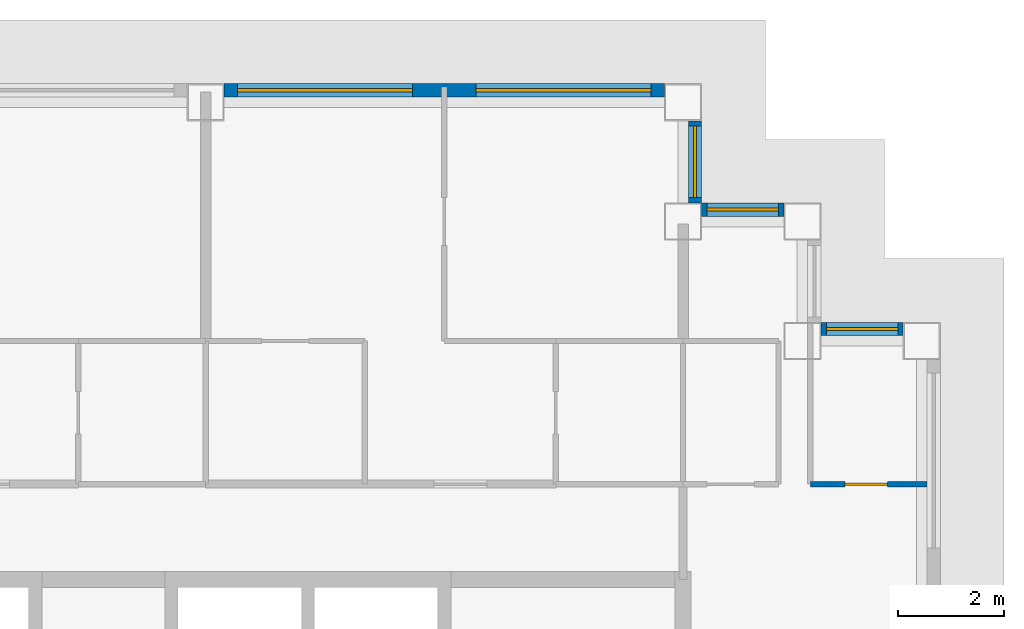
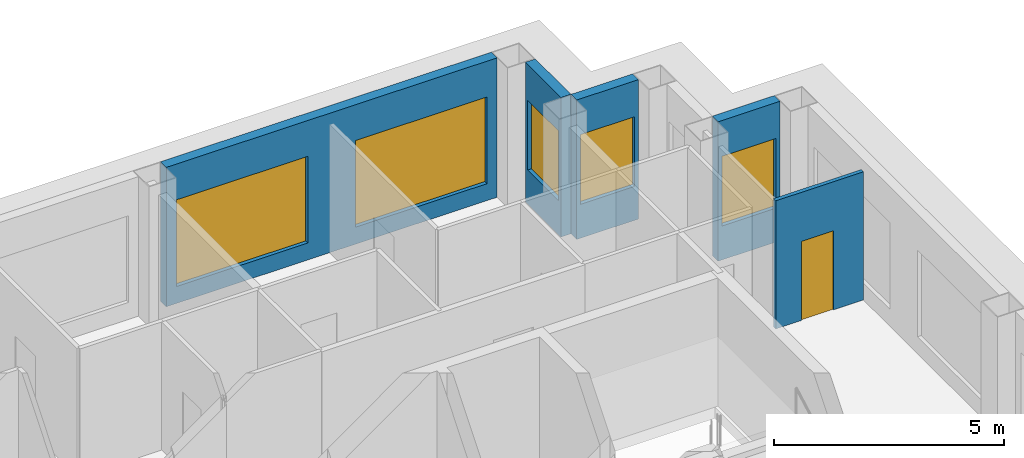
# One storey, part 8 of 12: 5 walls, 5 windows, 1 door, 6 openings.
"""IFC4 building model written with IfcOpenShell, lengths in metres."""

from ifc_helpers import new_model, si_unit, direction, frame, frame_2d, origin, place, context, subcontext, project, spatial, rectangle, extrude, material, layer, layer_set, type_object, element, fill, save


model = new_model("IFC4")

# Units and contexts
model_context = context("Model", 3, precision=1e-05, world=origin(), true_north=direction((0.0, 1.0)))
body_context = subcontext(model_context, "Body", "Model", "MODEL_VIEW")
ifc_project = project(units=[si_unit("LENGTHUNIT", "METRE"), si_unit("AREAUNIT", "SQUARE_METRE"), si_unit("VOLUMEUNIT", "CUBIC_METRE"), si_unit("PLANEANGLEUNIT", "RADIAN"), si_unit("MASSUNIT", "GRAM", prefix="KILO")], contexts=[model_context])

# Site, building, storey
site_placement = place(None, origin())
site = spatial("IfcSite", under=ifc_project, at=site_placement, CompositionType="ELEMENT")
building_placement = place(site_placement, origin())
building = spatial("IfcBuilding", under=site, at=building_placement, Name="Caravel Reach Hotel and Residences", CompositionType="ELEMENT")
storey_placement = place(building_placement, frame((0.0, 0.0, 196.10009765625)))
storey = spatial("IfcBuildingStorey", under=building, at=storey_placement, Name="L49", CompositionType="ELEMENT", Elevation=196.10009765625)

# Wall, opening, door
ifc_material_1 = material(Name="Gypsum board on steel stud", Category="steel")
ifc_layer_1 = layer(ifc_material_1, 0.10009765625)
ifc_layer_set_1 = layer_set([ifc_layer_1], Name="Bathroom pod wall 100 mm")
wall_type_1 = type_object("IfcWallType", Name="Bathroom pod wall 100 mm", PredefinedType="PARTITIONING", material=ifc_layer_set_1)
wall_1_placement = place(storey_placement, frame((47.39990234375, 33.300048828125, 0.0), z_axis=(0.0, 0.0, 1.0), x_axis=(1.0, 0.0, 0.0)))
wall_1 = element("IfcWall", 1, at=wall_1_placement, inside=storey, type_object=wall_type_1, Name="L49 wall w085", PredefinedType="PARTITIONING", context=body_context, shape_type="SweptSolid", body=[
    extrude(rectangle(XDim=2.2001953125, YDim=0.10009765625, at=frame_2d((1.10009765625, 0.0))), origin(), (0.0, 0.0, 1.0), 3.39990234375),
])
opening_1_placement = place(wall_1_placement, frame((0.64990234375, 0.0, 0.0)))
opening_1 = element("IfcOpeningElement", 2, at=opening_1_placement, cuts=wall_1, Name="Opening D49-047", PredefinedType="OPENING", context=body_context, shape_type="SweptSolid", body=[
    extrude(rectangle(XDim=0.800048828125, YDim=2.10009765625, at=frame_2d((0.39990234375, 1.050048828125))), frame((0.0, 0.06005859375, 0.0), z_axis=(0.0, -1.0, 0.0), x_axis=(1.0, 0.0, 0.0)), (0.0, 0.0, 1.0), 0.1201171875),
])
ifc_material_2 = material(Name="Timber and steel door leaf", Category="steel")
door_type = type_object("IfcDoorType", Name="Bathroom door 800 x 2100", OperationType="SINGLE_SWING_LEFT", PredefinedType="DOOR", material=ifc_material_2)
door_placement = place(opening_1_placement, origin())
door = element("IfcDoor", 3, at=door_placement, inside=storey, type_object=door_type, Name="door D49-047", OperationType="SINGLE_SWING_LEFT", OverallHeight=2.10009765625, OverallWidth=0.800048828125, PredefinedType="DOOR", context=body_context, shape_type="SweptSolid", body=[
    extrude(rectangle(XDim=0.800048828125, YDim=2.10009765625, at=frame_2d((0.39990234375, 1.050048828125))), frame((0.0, 0.02490234375, 0.0), z_axis=(0.0, -1.0, 0.0), x_axis=(1.0, 0.0, 0.0)), (0.0, 0.0, 1.0), 0.050048828125),
])
fill(opening_1, door)

# Wall, opening, window
ifc_material_3 = material(Name="Insulated rainscreen wall, aluminium cladding", Category="aluminium")
ifc_layer_2 = layer(ifc_material_3, 0.25)
ifc_layer_set_2 = layer_set([ifc_layer_2], Name="EW1 Tower rainscreen wall")
wall_type_2 = type_object("IfcWallType", Name="EW1 Tower rainscreen wall", PredefinedType="SOLIDWALL", material=ifc_layer_set_2)
wall_2_placement = place(storey_placement, frame((49.14990234375, 36.22509765625, 0.0), z_axis=(0.0, 0.0, 1.0), x_axis=(-1.0, 0.0, 0.0)))
wall_2 = element("IfcWall", 4, at=wall_2_placement, inside=storey, type_object=wall_type_2, Name="External wall L49 N7.1", PredefinedType="SOLIDWALL", context=body_context, shape_type="SweptSolid", body=[
    extrude(rectangle(XDim=1.5498046875, YDim=0.25, at=frame_2d((0.77490234375, 0.0))), origin(), (0.0, 0.0, 1.0), 3.699951171875),
])
opening_2_placement = place(wall_2_placement, frame((0.10009765625, 0.0, 0.89990234375)))
opening_2 = element("IfcOpeningElement", 5, at=opening_2_placement, cuts=wall_2, Name="Opening WN21", PredefinedType="OPENING", context=body_context, shape_type="SweptSolid", body=[
    extrude(rectangle(XDim=1.35009765625, YDim=1.85009765625, at=frame_2d((0.675048828125, 0.925048828125))), frame((0.0, 0.135009765625, 0.0), z_axis=(0.0, -1.0, 0.0), x_axis=(1.0, 0.0, 0.0)), (0.0, 0.0, 1.0), 0.27001953125),
])
ifc_material_4 = material(Name="Dark low-e glazing in black aluminium frame", Category="aluminium")
window_type_1 = type_object("IfcWindowType", Name="Residence bedroom window 1350 x 1850", PartitioningType="SINGLE_PANEL", PredefinedType="WINDOW", material=ifc_material_4)
window_1_placement = place(opening_2_placement, origin())
window_1 = element("IfcWindow", 6, at=window_1_placement, inside=storey, type_object=window_type_1, Name="Window L49 N7.1.1", OverallHeight=1.85009765625, OverallWidth=1.35009765625, PartitioningType="SINGLE_PANEL", PredefinedType="WINDOW", context=body_context, shape_type="SweptSolid", body=[
    extrude(rectangle(XDim=1.35009765625, YDim=1.85009765625, at=frame_2d((0.675048828125, 0.925048828125))), frame((0.0, 0.030029296875, 0.0), z_axis=(0.0, -1.0, 0.0), x_axis=(1.0, 0.0, 0.0)), (0.0, 0.0, 1.0), 0.06005859375),
])
fill(opening_2, window_1)

wall_3_placement = place(storey_placement, frame((46.89990234375, 38.47509765625, 0.0), z_axis=(0.0, 0.0, 1.0), x_axis=(-1.0, 0.0, 0.0)))
wall_3 = element("IfcWall", 7, at=wall_3_placement, inside=storey, type_object=wall_type_2, Name="External wall L49 N9.1", PredefinedType="SOLIDWALL", context=body_context, shape_type="SweptSolid", body=[
    extrude(rectangle(XDim=1.5498046875, YDim=0.25, at=frame_2d((0.77490234375, 0.0))), origin(), (0.0, 0.0, 1.0), 3.699951171875),
])
opening_3_placement = place(wall_3_placement, frame((0.10009765625, 0.0, 0.89990234375)))
opening_3 = element("IfcOpeningElement", 8, at=opening_3_placement, cuts=wall_3, Name="Opening WN21", PredefinedType="OPENING", context=body_context, shape_type="SweptSolid", body=[
    extrude(rectangle(XDim=1.35009765625, YDim=1.85009765625, at=frame_2d((0.675048828125, 0.925048828125))), frame((0.0, 0.135009765625, 0.0), z_axis=(0.0, -1.0, 0.0), x_axis=(1.0, 0.0, 0.0)), (0.0, 0.0, 1.0), 0.27001953125),
])
window_2_placement = place(opening_3_placement, origin())
window_2 = element("IfcWindow", 9, at=window_2_placement, inside=storey, type_object=window_type_1, Name="Window L49 N9.1.1", OverallHeight=1.85009765625, OverallWidth=1.35009765625, PartitioningType="SINGLE_PANEL", PredefinedType="WINDOW", context=body_context, shape_type="SweptSolid", body=[
    extrude(rectangle(XDim=1.35009765625, YDim=1.85009765625, at=frame_2d((0.675048828125, 0.925048828125))), frame((0.0, 0.030029296875, 0.0), z_axis=(0.0, -1.0, 0.0), x_axis=(1.0, 0.0, 0.0)), (0.0, 0.0, 1.0), 0.06005859375),
])
fill(opening_3, window_2)

wall_4_placement = place(storey_placement, frame((45.22509765625, 38.60009765625, 0.0), z_axis=(0.0, 0.0, 1.0), x_axis=(0.0, 1.0, 0.0)))
wall_4 = element("IfcWall", 10, at=wall_4_placement, inside=storey, type_object=wall_type_2, Name="External wall L49 E10.1", PredefinedType="SOLIDWALL", context=body_context, shape_type="SweptSolid", body=[
    extrude(rectangle(XDim=1.5498046875, YDim=0.25, at=frame_2d((0.77490234375, 0.0))), origin(), (0.0, 0.0, 1.0), 3.699951171875),
])
opening_4_placement = place(wall_4_placement, frame((0.10009765625, 0.0, 0.89990234375)))
opening_4 = element("IfcOpeningElement", 11, at=opening_4_placement, cuts=wall_4, Name="Opening WN21", PredefinedType="OPENING", context=body_context, shape_type="SweptSolid", body=[
    extrude(rectangle(XDim=1.35009765625, YDim=1.85009765625, at=frame_2d((0.675048828125, 0.925048828125))), frame((0.0, 0.135009765625, 0.0), z_axis=(0.0, -1.0, 0.0), x_axis=(1.0, 0.0, 0.0)), (0.0, 0.0, 1.0), 0.27001953125),
])
window_3_placement = place(opening_4_placement, origin())
window_3 = element("IfcWindow", 12, at=window_3_placement, inside=storey, type_object=window_type_1, Name="Window L49 E10.1.1", OverallHeight=1.85009765625, OverallWidth=1.35009765625, PartitioningType="SINGLE_PANEL", PredefinedType="WINDOW", context=body_context, shape_type="SweptSolid", body=[
    extrude(rectangle(XDim=1.35009765625, YDim=1.85009765625, at=frame_2d((0.675048828125, 0.925048828125))), frame((0.0, 0.030029296875, 0.0), z_axis=(0.0, -1.0, 0.0), x_axis=(1.0, 0.0, 0.0)), (0.0, 0.0, 1.0), 0.06005859375),
])
fill(opening_4, window_3)

# Wall, openings, windows
wall_5_placement = place(storey_placement, frame((44.64990234375, 40.72509765625, 0.0), z_axis=(0.0, 0.0, 1.0), x_axis=(-1.0, 0.0, 0.0)))
wall_5 = element("IfcWall", 13, at=wall_5_placement, inside=storey, type_object=wall_type_2, Name="External wall L49 N11.1", PredefinedType="SOLIDWALL", context=body_context, shape_type="SweptSolid", body=[
    extrude(rectangle(XDim=8.2998046875, YDim=0.25, at=frame_2d((4.14990234375, 0.0))), origin(), (0.0, 0.0, 1.0), 3.699951171875),
])
opening_5_placement = place(wall_5_placement, frame((0.25, 0.0, 0.449951171875)))
opening_5 = element("IfcOpeningElement", 14, at=opening_5_placement, cuts=wall_5, Name="Opening WN15", PredefinedType="OPENING", context=body_context, shape_type="SweptSolid", body=[
    extrude(rectangle(XDim=3.300048828125, YDim=2.300048828125, at=frame_2d((1.64990234375, 1.14990234375))), frame((0.0, 0.135009765625, 0.0), z_axis=(0.0, -1.0, 0.0), x_axis=(1.0, 0.0, 0.0)), (0.0, 0.0, 1.0), 0.27001953125),
])
opening_6_placement = place(wall_5_placement, frame((4.75, 0.0, 0.449951171875)))
opening_6 = element("IfcOpeningElement", 15, at=opening_6_placement, cuts=wall_5, Name="Opening WN15", PredefinedType="OPENING", context=body_context, shape_type="SweptSolid", body=[
    extrude(rectangle(XDim=3.300048828125, YDim=2.300048828125, at=frame_2d((1.64990234375, 1.14990234375))), frame((0.0, 0.135009765625, 0.0), z_axis=(0.0, -1.0, 0.0), x_axis=(1.0, 0.0, 0.0)), (0.0, 0.0, 1.0), 0.27001953125),
])
ifc_material_5 = material(Name="Dark low-e glazing in black aluminium frame", Category="aluminium")
window_type_2 = type_object("IfcWindowType", Name="Residence living window 3300 x 2300", PartitioningType="SINGLE_PANEL", PredefinedType="WINDOW", material=ifc_material_5)
window_4_placement = place(opening_5_placement, origin())
window_4 = element("IfcWindow", 16, at=window_4_placement, inside=storey, type_object=window_type_2, Name="Window L49 N11.1.1", OverallHeight=2.300048828125, OverallWidth=3.300048828125, PartitioningType="SINGLE_PANEL", PredefinedType="WINDOW", context=body_context, shape_type="SweptSolid", body=[
    extrude(rectangle(XDim=3.300048828125, YDim=2.300048828125, at=frame_2d((1.64990234375, 1.14990234375))), frame((0.0, 0.030029296875, 0.0), z_axis=(0.0, -1.0, 0.0), x_axis=(1.0, 0.0, 0.0)), (0.0, 0.0, 1.0), 0.06005859375),
])
fill(opening_5, window_4)
window_5_placement = place(opening_6_placement, origin())
window_5 = element("IfcWindow", 17, at=window_5_placement, inside=storey, type_object=window_type_2, Name="Window L49 N11.1.2", OverallHeight=2.300048828125, OverallWidth=3.300048828125, PartitioningType="SINGLE_PANEL", PredefinedType="WINDOW", context=body_context, shape_type="SweptSolid", body=[
    extrude(rectangle(XDim=3.300048828125, YDim=2.300048828125, at=frame_2d((1.64990234375, 1.14990234375))), frame((0.0, 0.030029296875, 0.0), z_axis=(0.0, -1.0, 0.0), x_axis=(1.0, 0.0, 0.0)), (0.0, 0.0, 1.0), 0.06005859375),
])
fill(opening_6, window_5)

save(model, "model.ifc")
